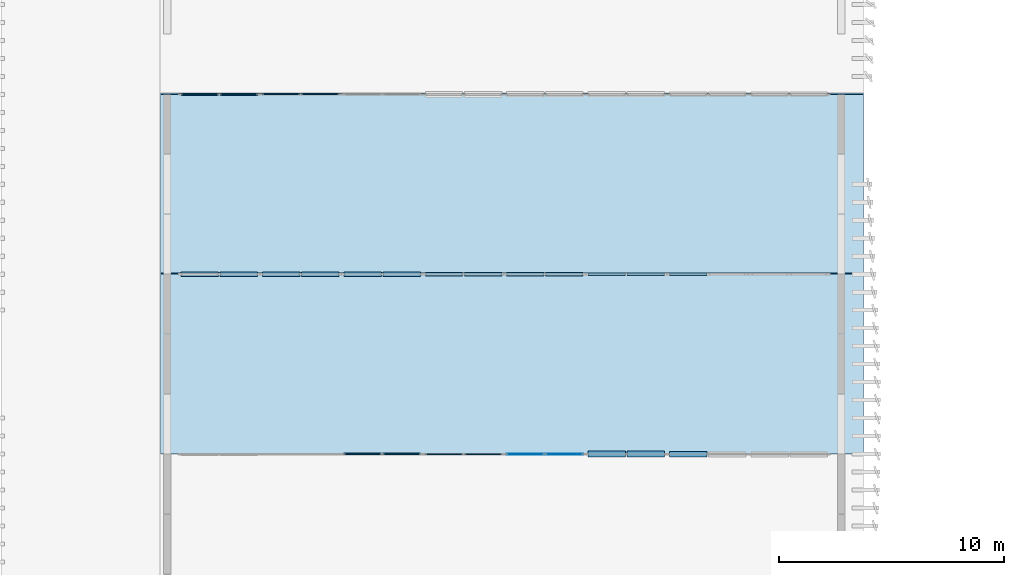
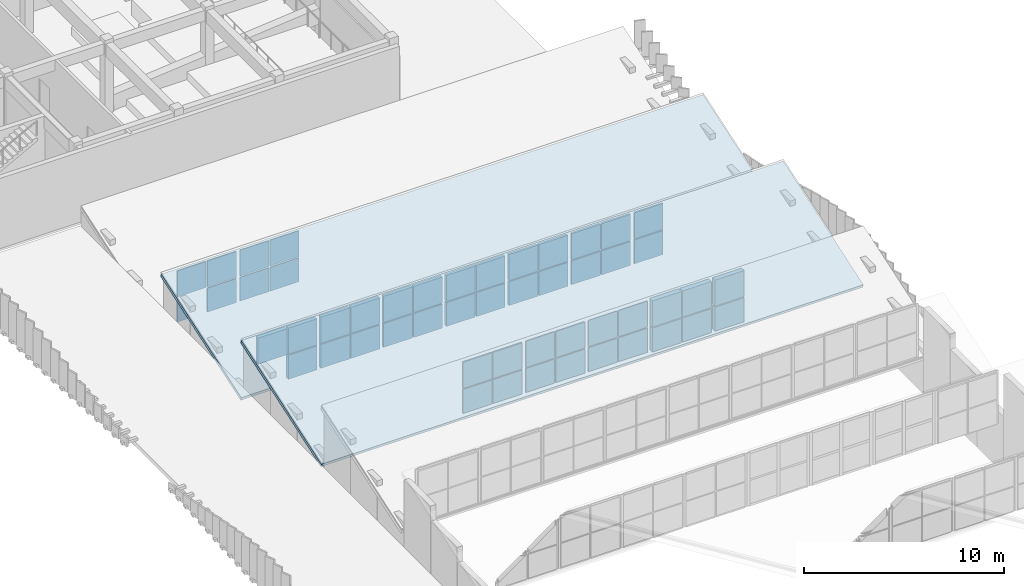
# One storey, part 20 of 45: 51 plates, 2 slabs, 14 elements without a shape of their own.
"""IFC4 building model written with IfcOpenShell, lengths in metres."""

from ifc_helpers import new_model, si_unit, direction, frame, origin, origin_2d, place, context, subcontext, project, spatial, polyline, rectangle, outline, extrude, material, layer, layer_set, type_object, element, aggregate, save


model = new_model("IFC4")

# Units and contexts
model_context = context("Model", 3, precision=1e-05, world=origin(), true_north=direction((0.0, 1.0)))
body_context = subcontext(model_context, "Body", "Model", "MODEL_VIEW")
ifc_project = project(units=[si_unit("LENGTHUNIT", "METRE"), si_unit("AREAUNIT", "SQUARE_METRE"), si_unit("VOLUMEUNIT", "CUBIC_METRE"), si_unit("PLANEANGLEUNIT", "RADIAN"), si_unit("MASSUNIT", "GRAM", prefix="KILO")], contexts=[model_context])

# Site, building, storey
site_placement = place(None, origin())
site = spatial("IfcSite", under=ifc_project, at=site_placement, CompositionType="ELEMENT")
building_placement = place(site_placement, origin())
building = spatial("IfcBuilding", under=site, at=building_placement, Name="Cinchona Park Media Centre", CompositionType="ELEMENT")
storey_placement = place(building_placement, frame((0.0, 0.0, 20.39990234375)))
storey = spatial("IfcBuildingStorey", under=building, at=storey_placement, Name="L04", CompositionType="ELEMENT", Elevation=20.39990234375)

# Curtain wall, plates
ifc_material_1 = material(Name="Aluminium Curtain Wall Framing", Category="aluminium")
ifc_layer_1 = layer(ifc_material_1, 0.31494140625)
ifc_layer_set_1 = layer_set([ifc_layer_1], Name="Aluminium Curtain Wall Framing")
curtain_wall_type = type_object("IfcCurtainWallType", Name="CW-CW10", PredefinedType="USERDEFINED", material=ifc_layer_set_1)
curtain_wall_1_placement = place(storey_placement, origin())
curtain_wall_1 = element("IfcCurtainWall", 1, at=curtain_wall_1_placement, inside=storey, type_object=curtain_wall_type, Name="North-Light Sawtooth Clerestory V1 Bay 4.4 CW10 L04", ObjectType="UNITISED CURTAIN WALL", PredefinedType="USERDEFINED")
ifc_material_2 = material(Name="Laminated Solar-Control Double Glazing", Category="glass")
ifc_layer_2 = layer(ifc_material_2, 0.030029296875)
ifc_layer_set_2 = layer_set([ifc_layer_2], Name="Laminated Solar-Control Double Glazing")
plate_type_1 = type_object("IfcPlateType", Name="CWPANEL-PNL02", PredefinedType="CURTAIN_PANEL", material=ifc_layer_set_2)
plate_1_placement = place(storey_placement, frame((33.0576171875, 39.60009765625, 0.25), z_axis=(0.0, 0.0, 1.0), x_axis=(-1.0, 0.0, 0.0)))
plate_1 = element("IfcPlate", 2, at=plate_1_placement, type_object=plate_type_1, Name="CW10 panel 1.1", PredefinedType="CURTAIN_PANEL", context=body_context, shape_type="SweptSolid", body=[
    extrude(rectangle(XDim=1.6650390625, YDim=0.030029296875, at=origin_2d()), origin(), (0.0, 0.0, 1.0), 1.4580078125),
])
plate_2_placement = place(storey_placement, frame((33.0576171875, 39.60009765625, 1.77783203125), z_axis=(0.0, 0.0, 1.0), x_axis=(-1.0, 0.0, 0.0)))
plate_2 = element("IfcPlate", 3, at=plate_2_placement, type_object=plate_type_1, Name="CW10 panel 1.2", PredefinedType="CURTAIN_PANEL", context=body_context, shape_type="SweptSolid", body=[
    extrude(rectangle(XDim=1.6650390625, YDim=0.030029296875, at=origin_2d()), origin(), (0.0, 0.0, 1.0), 1.589111328125),
])
plate_3_placement = place(storey_placement, frame((31.322509765625, 39.60009765625, 0.25), z_axis=(0.0, 0.0, 1.0), x_axis=(-1.0, 0.0, 0.0)))
plate_3 = element("IfcPlate", 4, at=plate_3_placement, type_object=plate_type_1, Name="CW10 panel 2.1", PredefinedType="CURTAIN_PANEL", context=body_context, shape_type="SweptSolid", body=[
    extrude(rectangle(XDim=1.6650390625, YDim=0.030029296875, at=origin_2d()), origin(), (0.0, 0.0, 1.0), 1.4580078125),
])
plate_4_placement = place(storey_placement, frame((31.322509765625, 39.60009765625, 1.77783203125), z_axis=(0.0, 0.0, 1.0), x_axis=(-1.0, 0.0, 0.0)))
plate_4 = element("IfcPlate", 5, at=plate_4_placement, type_object=plate_type_1, Name="CW10 panel 2.2", PredefinedType="CURTAIN_PANEL", context=body_context, shape_type="SweptSolid", body=[
    extrude(rectangle(XDim=1.6650390625, YDim=0.030029296875, at=origin_2d()), origin(), (0.0, 0.0, 1.0), 1.589111328125),
])
aggregate(curtain_wall_1, [plate_1, plate_2, plate_3, plate_4])

curtain_wall_2_placement = place(storey_placement, origin())
curtain_wall_2 = element("IfcCurtainWall", 6, at=curtain_wall_2_placement, inside=storey, type_object=curtain_wall_type, Name="North-Light Sawtooth Clerestory V1 Bay 4.5 CW10 L04", ObjectType="UNITISED CURTAIN WALL", PredefinedType="USERDEFINED")
ifc_material_3 = material(Name="Laminated Solar-Control Double Glazing", Category="glass")
ifc_layer_3 = layer(ifc_material_3, 0.050048828125)
ifc_layer_set_3 = layer_set([ifc_layer_3], Name="Laminated Solar-Control Double Glazing")
plate_type_2 = type_object("IfcPlateType", Name="CWPANEL-PNL04", PredefinedType="CURTAIN_PANEL", material=ifc_layer_set_3)
plate_5_placement = place(storey_placement, frame((29.4375, 39.60009765625, 0.25), z_axis=(0.0, 0.0, 1.0), x_axis=(-1.0, 0.0, 0.0)))
plate_5 = element("IfcPlate", 7, at=plate_5_placement, type_object=plate_type_2, Name="CW10 panel 1.1", PredefinedType="CURTAIN_PANEL", context=body_context, shape_type="SweptSolid", body=[
    extrude(rectangle(XDim=1.6650390625, YDim=0.050048828125, at=origin_2d()), origin(), (0.0, 0.0, 1.0), 1.4580078125),
])
plate_6_placement = place(storey_placement, frame((29.4375, 39.60009765625, 1.77783203125), z_axis=(0.0, 0.0, 1.0), x_axis=(-1.0, 0.0, 0.0)))
plate_6 = element("IfcPlate", 8, at=plate_6_placement, type_object=plate_type_2, Name="CW10 panel 1.2", PredefinedType="CURTAIN_PANEL", context=body_context, shape_type="SweptSolid", body=[
    extrude(rectangle(XDim=1.6650390625, YDim=0.050048828125, at=origin_2d()), origin(), (0.0, 0.0, 1.0), 1.589111328125),
])
plate_7_placement = place(storey_placement, frame((27.702392578125, 39.60009765625, 0.25), z_axis=(0.0, 0.0, 1.0), x_axis=(-1.0, 0.0, 0.0)))
plate_7 = element("IfcPlate", 9, at=plate_7_placement, type_object=plate_type_2, Name="CW10 panel 2.1", PredefinedType="CURTAIN_PANEL", context=body_context, shape_type="SweptSolid", body=[
    extrude(rectangle(XDim=1.6650390625, YDim=0.050048828125, at=origin_2d()), origin(), (0.0, 0.0, 1.0), 1.4580078125),
])
plate_8_placement = place(storey_placement, frame((27.702392578125, 39.60009765625, 1.77783203125), z_axis=(0.0, 0.0, 1.0), x_axis=(-1.0, 0.0, 0.0)))
plate_8 = element("IfcPlate", 10, at=plate_8_placement, type_object=plate_type_2, Name="CW10 panel 2.2", PredefinedType="CURTAIN_PANEL", context=body_context, shape_type="SweptSolid", body=[
    extrude(rectangle(XDim=1.6650390625, YDim=0.050048828125, at=origin_2d()), origin(), (0.0, 0.0, 1.0), 1.589111328125),
])
aggregate(curtain_wall_2, [plate_5, plate_6, plate_7, plate_8])

curtain_wall_3_placement = place(storey_placement, origin())
curtain_wall_3 = element("IfcCurtainWall", 11, at=curtain_wall_3_placement, inside=storey, type_object=curtain_wall_type, Name="North-Light Sawtooth Clerestory V1 Bay 6.7 CW10 L04", ObjectType="UNITISED CURTAIN WALL", PredefinedType="USERDEFINED")
plate_9_placement = place(storey_placement, frame((22.197509765625, 55.60009765625, -1.349853515625), z_axis=(0.0, 0.0, 1.0), x_axis=(-1.0, 0.0, 0.0)))
plate_9 = element("IfcPlate", 12, at=plate_9_placement, type_object=plate_type_2, Name="CW10 panel 1.1", PredefinedType="CURTAIN_PANEL", context=body_context, shape_type="SweptSolid", body=[
    extrude(rectangle(XDim=1.6650390625, YDim=0.050048828125, at=origin_2d()), origin(), (0.0, 0.0, 1.0), 1.4580078125),
])
plate_10_placement = place(storey_placement, frame((22.197509765625, 55.60009765625, 0.17822265625), z_axis=(0.0, 0.0, 1.0), x_axis=(-1.0, 0.0, 0.0)))
plate_10 = element("IfcPlate", 13, at=plate_10_placement, type_object=plate_type_2, Name="CW10 panel 1.2", PredefinedType="CURTAIN_PANEL", context=body_context, shape_type="SweptSolid", body=[
    extrude(rectangle(XDim=1.6650390625, YDim=0.050048828125, at=origin_2d()), origin(), (0.0, 0.0, 1.0), 1.589111328125),
])
plate_11_placement = place(storey_placement, frame((20.46240234375, 55.60009765625, -1.349853515625), z_axis=(0.0, 0.0, 1.0), x_axis=(-1.0, 0.0, 0.0)))
plate_11 = element("IfcPlate", 14, at=plate_11_placement, type_object=plate_type_2, Name="CW10 panel 2.1", PredefinedType="CURTAIN_PANEL", context=body_context, shape_type="SweptSolid", body=[
    extrude(rectangle(XDim=1.6650390625, YDim=0.050048828125, at=origin_2d()), origin(), (0.0, 0.0, 1.0), 1.4580078125),
])
plate_12_placement = place(storey_placement, frame((20.46240234375, 55.60009765625, 0.17822265625), z_axis=(0.0, 0.0, 1.0), x_axis=(-1.0, 0.0, 0.0)))
plate_12 = element("IfcPlate", 15, at=plate_12_placement, type_object=plate_type_2, Name="CW10 panel 2.2", PredefinedType="CURTAIN_PANEL", context=body_context, shape_type="SweptSolid", body=[
    extrude(rectangle(XDim=1.6650390625, YDim=0.050048828125, at=origin_2d()), origin(), (0.0, 0.0, 1.0), 1.589111328125),
])
aggregate(curtain_wall_3, [plate_9, plate_10, plate_11, plate_12])

curtain_wall_4_placement = place(storey_placement, origin())
curtain_wall_4 = element("IfcCurtainWall", 16, at=curtain_wall_4_placement, inside=storey, type_object=curtain_wall_type, Name="North-Light Sawtooth Clerestory V1 Bay 4.6 CW10 L04", ObjectType="UNITISED CURTAIN WALL", PredefinedType="USERDEFINED")
ifc_material_4 = material(Name="Laminated Solar-Control Double Glazing", Category="glass")
ifc_layer_4 = layer(ifc_material_4, 0.070068359375)
ifc_layer_set_4 = layer_set([ifc_layer_4], Name="Laminated Solar-Control Double Glazing")
plate_type_3 = type_object("IfcPlateType", Name="CWPANEL-PNL06", PredefinedType="CURTAIN_PANEL", material=ifc_layer_set_4)
plate_13_placement = place(storey_placement, frame((25.8173828125, 39.60009765625, 0.25), z_axis=(0.0, 0.0, 1.0), x_axis=(-1.0, 0.0, 0.0)))
plate_13 = element("IfcPlate", 17, at=plate_13_placement, type_object=plate_type_3, Name="CW10 panel 1.1", PredefinedType="CURTAIN_PANEL", context=body_context, shape_type="SweptSolid", body=[
    extrude(rectangle(XDim=1.6650390625, YDim=0.070068359375, at=origin_2d()), origin(), (0.0, 0.0, 1.0), 1.4580078125),
])
plate_14_placement = place(storey_placement, frame((25.8173828125, 39.60009765625, 1.77783203125), z_axis=(0.0, 0.0, 1.0), x_axis=(-1.0, 0.0, 0.0)))
plate_14 = element("IfcPlate", 18, at=plate_14_placement, type_object=plate_type_3, Name="CW10 panel 1.2", PredefinedType="CURTAIN_PANEL", context=body_context, shape_type="SweptSolid", body=[
    extrude(rectangle(XDim=1.6650390625, YDim=0.070068359375, at=origin_2d()), origin(), (0.0, 0.0, 1.0), 1.589111328125),
])
plate_15_placement = place(storey_placement, frame((24.08251953125, 39.60009765625, 0.25), z_axis=(0.0, 0.0, 1.0), x_axis=(-1.0, 0.0, 0.0)))
plate_15 = element("IfcPlate", 19, at=plate_15_placement, type_object=plate_type_3, Name="CW10 panel 2.1", PredefinedType="CURTAIN_PANEL", context=body_context, shape_type="SweptSolid", body=[
    extrude(rectangle(XDim=1.6650390625, YDim=0.070068359375, at=origin_2d()), origin(), (0.0, 0.0, 1.0), 1.4580078125),
])
plate_16_placement = place(storey_placement, frame((24.08251953125, 39.60009765625, 1.77783203125), z_axis=(0.0, 0.0, 1.0), x_axis=(-1.0, 0.0, 0.0)))
plate_16 = element("IfcPlate", 20, at=plate_16_placement, type_object=plate_type_3, Name="CW10 panel 2.2", PredefinedType="CURTAIN_PANEL", context=body_context, shape_type="SweptSolid", body=[
    extrude(rectangle(XDim=1.6650390625, YDim=0.070068359375, at=origin_2d()), origin(), (0.0, 0.0, 1.0), 1.589111328125),
])
aggregate(curtain_wall_4, [plate_13, plate_14, plate_15, plate_16])

curtain_wall_5_placement = place(storey_placement, origin())
curtain_wall_5 = element("IfcCurtainWall", 21, at=curtain_wall_5_placement, inside=storey, type_object=curtain_wall_type, Name="North-Light Sawtooth Clerestory V1 Bay 6.8 CW10 L04", ObjectType="UNITISED CURTAIN WALL", PredefinedType="USERDEFINED")
plate_17_placement = place(storey_placement, frame((18.577392578125, 55.60009765625, -1.349853515625), z_axis=(0.0, 0.0, 1.0), x_axis=(-1.0, 0.0, 0.0)))
plate_17 = element("IfcPlate", 22, at=plate_17_placement, type_object=plate_type_3, Name="CW10 panel 1.1", PredefinedType="CURTAIN_PANEL", context=body_context, shape_type="SweptSolid", body=[
    extrude(rectangle(XDim=1.6650390625, YDim=0.070068359375, at=origin_2d()), origin(), (0.0, 0.0, 1.0), 1.4580078125),
])
plate_18_placement = place(storey_placement, frame((18.577392578125, 55.60009765625, 0.17822265625), z_axis=(0.0, 0.0, 1.0), x_axis=(-1.0, 0.0, 0.0)))
plate_18 = element("IfcPlate", 23, at=plate_18_placement, type_object=plate_type_3, Name="CW10 panel 1.2", PredefinedType="CURTAIN_PANEL", context=body_context, shape_type="SweptSolid", body=[
    extrude(rectangle(XDim=1.6650390625, YDim=0.070068359375, at=origin_2d()), origin(), (0.0, 0.0, 1.0), 1.589111328125),
])
plate_19_placement = place(storey_placement, frame((16.842529296875, 55.60009765625, -1.349853515625), z_axis=(0.0, 0.0, 1.0), x_axis=(-1.0, 0.0, 0.0)))
plate_19 = element("IfcPlate", 24, at=plate_19_placement, type_object=plate_type_3, Name="CW10 panel 2.1", PredefinedType="CURTAIN_PANEL", context=body_context, shape_type="SweptSolid", body=[
    extrude(rectangle(XDim=1.6650390625, YDim=0.070068359375, at=origin_2d()), origin(), (0.0, 0.0, 1.0), 1.4580078125),
])
plate_20_placement = place(storey_placement, frame((16.842529296875, 55.60009765625, 0.17822265625), z_axis=(0.0, 0.0, 1.0), x_axis=(-1.0, 0.0, 0.0)))
plate_20 = element("IfcPlate", 25, at=plate_20_placement, type_object=plate_type_3, Name="CW10 panel 2.2", PredefinedType="CURTAIN_PANEL", context=body_context, shape_type="SweptSolid", body=[
    extrude(rectangle(XDim=1.6650390625, YDim=0.070068359375, at=origin_2d()), origin(), (0.0, 0.0, 1.0), 1.589111328125),
])
aggregate(curtain_wall_5, [plate_17, plate_18, plate_19, plate_20])

curtain_wall_6_placement = place(storey_placement, origin())
curtain_wall_6 = element("IfcCurtainWall", 26, at=curtain_wall_6_placement, inside=storey, type_object=curtain_wall_type, Name="North-Light Sawtooth Clerestory V1 Bay 5.2 CW10 L04", ObjectType="UNITISED CURTAIN WALL", PredefinedType="USERDEFINED")
ifc_material_5 = material(Name="Insulated Acoustic Aluminium-Glass Spandrel Cassette", Category="aluminium")
ifc_layer_5 = layer(ifc_material_5, 0.10009765625)
ifc_layer_set_5 = layer_set([ifc_layer_5], Name="Insulated Acoustic Aluminium-Glass Spandrel Cassette")
plate_type_4 = type_object("IfcPlateType", Name="CWPANEL-PNL09", PredefinedType="CURTAIN_PANEL", material=ifc_layer_set_5)
plate_21_placement = place(storey_placement, frame((38.5625, 47.60009765625, -0.5498046875), z_axis=(0.0, 0.0, 1.0), x_axis=(-1.0, 0.0, 0.0)))
plate_21 = element("IfcPlate", 27, at=plate_21_placement, type_object=plate_type_4, Name="CW10 panel 2.1", PredefinedType="CURTAIN_PANEL", context=body_context, shape_type="SweptSolid", body=[
    extrude(rectangle(XDim=1.6650390625, YDim=0.10009765625, at=origin_2d()), origin(), (0.0, 0.0, 1.0), 1.4580078125),
])
plate_22_placement = place(storey_placement, frame((38.5625, 47.60009765625, 0.97802734375), z_axis=(0.0, 0.0, 1.0), x_axis=(-1.0, 0.0, 0.0)))
plate_22 = element("IfcPlate", 28, at=plate_22_placement, type_object=plate_type_4, Name="CW10 panel 2.2", PredefinedType="CURTAIN_PANEL", context=body_context, shape_type="SweptSolid", body=[
    extrude(rectangle(XDim=1.6650390625, YDim=0.10009765625, at=origin_2d()), origin(), (0.0, 0.0, 1.0), 1.589111328125),
])
aggregate(curtain_wall_6, [plate_21, plate_22])

curtain_wall_7_placement = place(storey_placement, origin())
curtain_wall_7 = element("IfcCurtainWall", 29, at=curtain_wall_7_placement, inside=storey, type_object=curtain_wall_type, Name="North-Light Sawtooth Clerestory V1 Bay 5.3 CW10 L04", ObjectType="UNITISED CURTAIN WALL", PredefinedType="USERDEFINED")
ifc_material_6 = material(Name="Insulated Acoustic Aluminium-Glass Spandrel Cassette", Category="aluminium")
ifc_layer_6 = layer(ifc_material_6, 0.1201171875)
ifc_layer_set_6 = layer_set([ifc_layer_6], Name="Insulated Acoustic Aluminium-Glass Spandrel Cassette")
plate_type_5 = type_object("IfcPlateType", Name="CWPANEL-PNL11", PredefinedType="CURTAIN_PANEL", material=ifc_layer_set_6)
plate_23_placement = place(storey_placement, frame((36.677490234375, 47.60009765625, -0.5498046875), z_axis=(0.0, 0.0, 1.0), x_axis=(-1.0, 0.0, 0.0)))
plate_23 = element("IfcPlate", 30, at=plate_23_placement, type_object=plate_type_5, Name="CW10 panel 1.1", PredefinedType="CURTAIN_PANEL", context=body_context, shape_type="SweptSolid", body=[
    extrude(rectangle(XDim=1.6650390625, YDim=0.1201171875, at=origin_2d()), origin(), (0.0, 0.0, 1.0), 1.4580078125),
])
plate_24_placement = place(storey_placement, frame((36.677490234375, 47.60009765625, 0.97802734375), z_axis=(0.0, 0.0, 1.0), x_axis=(-1.0, 0.0, 0.0)))
plate_24 = element("IfcPlate", 31, at=plate_24_placement, type_object=plate_type_5, Name="CW10 panel 1.2", PredefinedType="CURTAIN_PANEL", context=body_context, shape_type="SweptSolid", body=[
    extrude(rectangle(XDim=1.6650390625, YDim=0.1201171875, at=origin_2d()), origin(), (0.0, 0.0, 1.0), 1.589111328125),
])
plate_25_placement = place(storey_placement, frame((34.9423828125, 47.60009765625, -0.5498046875), z_axis=(0.0, 0.0, 1.0), x_axis=(-1.0, 0.0, 0.0)))
plate_25 = element("IfcPlate", 32, at=plate_25_placement, type_object=plate_type_5, Name="CW10 panel 2.1", PredefinedType="CURTAIN_PANEL", context=body_context, shape_type="SweptSolid", body=[
    extrude(rectangle(XDim=1.6650390625, YDim=0.1201171875, at=origin_2d()), origin(), (0.0, 0.0, 1.0), 1.4580078125),
])
plate_26_placement = place(storey_placement, frame((34.9423828125, 47.60009765625, 0.97802734375), z_axis=(0.0, 0.0, 1.0), x_axis=(-1.0, 0.0, 0.0)))
plate_26 = element("IfcPlate", 33, at=plate_26_placement, type_object=plate_type_5, Name="CW10 panel 2.2", PredefinedType="CURTAIN_PANEL", context=body_context, shape_type="SweptSolid", body=[
    extrude(rectangle(XDim=1.6650390625, YDim=0.1201171875, at=origin_2d()), origin(), (0.0, 0.0, 1.0), 1.589111328125),
])
aggregate(curtain_wall_7, [plate_23, plate_24, plate_25, plate_26])

curtain_wall_8_placement = place(storey_placement, origin())
curtain_wall_8 = element("IfcCurtainWall", 34, at=curtain_wall_8_placement, inside=storey, type_object=curtain_wall_type, Name="North-Light Sawtooth Clerestory V1 Bay 5.4 CW10 L04", ObjectType="UNITISED CURTAIN WALL", PredefinedType="USERDEFINED")
ifc_material_7 = material(Name="Insulated Acoustic Aluminium-Glass Spandrel Cassette", Category="aluminium")
ifc_layer_7 = layer(ifc_material_7, 0.139892578125)
ifc_layer_set_7 = layer_set([ifc_layer_7], Name="Insulated Acoustic Aluminium-Glass Spandrel Cassette")
plate_type_6 = type_object("IfcPlateType", Name="CWPANEL-PNL13", PredefinedType="CURTAIN_PANEL", material=ifc_layer_set_7)
plate_27_placement = place(storey_placement, frame((33.0576171875, 47.60009765625, -0.5498046875), z_axis=(0.0, 0.0, 1.0), x_axis=(-1.0, 0.0, 0.0)))
plate_27 = element("IfcPlate", 35, at=plate_27_placement, type_object=plate_type_6, Name="CW10 panel 1.1", PredefinedType="CURTAIN_PANEL", context=body_context, shape_type="SweptSolid", body=[
    extrude(rectangle(XDim=1.6650390625, YDim=0.139892578125, at=origin_2d()), origin(), (0.0, 0.0, 1.0), 1.4580078125),
])
plate_28_placement = place(storey_placement, frame((33.0576171875, 47.60009765625, 0.97802734375), z_axis=(0.0, 0.0, 1.0), x_axis=(-1.0, 0.0, 0.0)))
plate_28 = element("IfcPlate", 36, at=plate_28_placement, type_object=plate_type_6, Name="CW10 panel 1.2", PredefinedType="CURTAIN_PANEL", context=body_context, shape_type="SweptSolid", body=[
    extrude(rectangle(XDim=1.6650390625, YDim=0.139892578125, at=origin_2d()), origin(), (0.0, 0.0, 1.0), 1.589111328125),
])
plate_29_placement = place(storey_placement, frame((31.322509765625, 47.60009765625, -0.5498046875), z_axis=(0.0, 0.0, 1.0), x_axis=(-1.0, 0.0, 0.0)))
plate_29 = element("IfcPlate", 37, at=plate_29_placement, type_object=plate_type_6, Name="CW10 panel 2.1", PredefinedType="CURTAIN_PANEL", context=body_context, shape_type="SweptSolid", body=[
    extrude(rectangle(XDim=1.6650390625, YDim=0.139892578125, at=origin_2d()), origin(), (0.0, 0.0, 1.0), 1.4580078125),
])
plate_30_placement = place(storey_placement, frame((31.322509765625, 47.60009765625, 0.97802734375), z_axis=(0.0, 0.0, 1.0), x_axis=(-1.0, 0.0, 0.0)))
plate_30 = element("IfcPlate", 38, at=plate_30_placement, type_object=plate_type_6, Name="CW10 panel 2.2", PredefinedType="CURTAIN_PANEL", context=body_context, shape_type="SweptSolid", body=[
    extrude(rectangle(XDim=1.6650390625, YDim=0.139892578125, at=origin_2d()), origin(), (0.0, 0.0, 1.0), 1.589111328125),
])
aggregate(curtain_wall_8, [plate_27, plate_28, plate_29, plate_30])

curtain_wall_9_placement = place(storey_placement, origin())
curtain_wall_9 = element("IfcCurtainWall", 39, at=curtain_wall_9_placement, inside=storey, type_object=curtain_wall_type, Name="North-Light Sawtooth Clerestory V1 Bay 5.5 CW10 L04", ObjectType="UNITISED CURTAIN WALL", PredefinedType="USERDEFINED")
ifc_material_8 = material(Name="Insulated Acoustic Aluminium-Glass Spandrel Cassette", Category="aluminium")
ifc_layer_8 = layer(ifc_material_8, 0.159912109375)
ifc_layer_set_8 = layer_set([ifc_layer_8], Name="Insulated Acoustic Aluminium-Glass Spandrel Cassette")
plate_type_7 = type_object("IfcPlateType", Name="CWPANEL-PNL15", PredefinedType="CURTAIN_PANEL", material=ifc_layer_set_8)
plate_31_placement = place(storey_placement, frame((29.4375, 47.60009765625, -0.5498046875), z_axis=(0.0, 0.0, 1.0), x_axis=(-1.0, 0.0, 0.0)))
plate_31 = element("IfcPlate", 40, at=plate_31_placement, type_object=plate_type_7, Name="CW10 panel 1.1", PredefinedType="CURTAIN_PANEL", context=body_context, shape_type="SweptSolid", body=[
    extrude(rectangle(XDim=1.6650390625, YDim=0.159912109375, at=origin_2d()), origin(), (0.0, 0.0, 1.0), 1.4580078125),
])
plate_32_placement = place(storey_placement, frame((29.4375, 47.60009765625, 0.97802734375), z_axis=(0.0, 0.0, 1.0), x_axis=(-1.0, 0.0, 0.0)))
plate_32 = element("IfcPlate", 41, at=plate_32_placement, type_object=plate_type_7, Name="CW10 panel 1.2", PredefinedType="CURTAIN_PANEL", context=body_context, shape_type="SweptSolid", body=[
    extrude(rectangle(XDim=1.6650390625, YDim=0.159912109375, at=origin_2d()), origin(), (0.0, 0.0, 1.0), 1.589111328125),
])
plate_33_placement = place(storey_placement, frame((27.702392578125, 47.60009765625, -0.5498046875), z_axis=(0.0, 0.0, 1.0), x_axis=(-1.0, 0.0, 0.0)))
plate_33 = element("IfcPlate", 42, at=plate_33_placement, type_object=plate_type_7, Name="CW10 panel 2.1", PredefinedType="CURTAIN_PANEL", context=body_context, shape_type="SweptSolid", body=[
    extrude(rectangle(XDim=1.6650390625, YDim=0.159912109375, at=origin_2d()), origin(), (0.0, 0.0, 1.0), 1.4580078125),
])
plate_34_placement = place(storey_placement, frame((27.702392578125, 47.60009765625, 0.97802734375), z_axis=(0.0, 0.0, 1.0), x_axis=(-1.0, 0.0, 0.0)))
plate_34 = element("IfcPlate", 43, at=plate_34_placement, type_object=plate_type_7, Name="CW10 panel 2.2", PredefinedType="CURTAIN_PANEL", context=body_context, shape_type="SweptSolid", body=[
    extrude(rectangle(XDim=1.6650390625, YDim=0.159912109375, at=origin_2d()), origin(), (0.0, 0.0, 1.0), 1.589111328125),
])
aggregate(curtain_wall_9, [plate_31, plate_32, plate_33, plate_34])

curtain_wall_10_placement = place(storey_placement, origin())
curtain_wall_10 = element("IfcCurtainWall", 44, at=curtain_wall_10_placement, inside=storey, type_object=curtain_wall_type, Name="North-Light Sawtooth Clerestory V1 Bay 5.6 CW10 L04", ObjectType="UNITISED CURTAIN WALL", PredefinedType="USERDEFINED")
ifc_material_9 = material(Name="Insulated Acoustic Aluminium-Glass Spandrel Cassette", Category="aluminium")
ifc_layer_9 = layer(ifc_material_9, 0.179931640625)
ifc_layer_set_9 = layer_set([ifc_layer_9], Name="Insulated Acoustic Aluminium-Glass Spandrel Cassette")
plate_type_8 = type_object("IfcPlateType", Name="CWPANEL-PNL17", PredefinedType="CURTAIN_PANEL", material=ifc_layer_set_9)
plate_35_placement = place(storey_placement, frame((25.8173828125, 47.60009765625, -0.5498046875), z_axis=(0.0, 0.0, 1.0), x_axis=(-1.0, 0.0, 0.0)))
plate_35 = element("IfcPlate", 45, at=plate_35_placement, type_object=plate_type_8, Name="CW10 panel 1.1", PredefinedType="CURTAIN_PANEL", context=body_context, shape_type="SweptSolid", body=[
    extrude(rectangle(XDim=1.6650390625, YDim=0.179931640625, at=origin_2d()), origin(), (0.0, 0.0, 1.0), 1.4580078125),
])
plate_36_placement = place(storey_placement, frame((25.8173828125, 47.60009765625, 0.97802734375), z_axis=(0.0, 0.0, 1.0), x_axis=(-1.0, 0.0, 0.0)))
plate_36 = element("IfcPlate", 46, at=plate_36_placement, type_object=plate_type_8, Name="CW10 panel 1.2", PredefinedType="CURTAIN_PANEL", context=body_context, shape_type="SweptSolid", body=[
    extrude(rectangle(XDim=1.6650390625, YDim=0.179931640625, at=origin_2d()), origin(), (0.0, 0.0, 1.0), 1.589111328125),
])
plate_37_placement = place(storey_placement, frame((24.08251953125, 47.60009765625, -0.5498046875), z_axis=(0.0, 0.0, 1.0), x_axis=(-1.0, 0.0, 0.0)))
plate_37 = element("IfcPlate", 47, at=plate_37_placement, type_object=plate_type_8, Name="CW10 panel 2.1", PredefinedType="CURTAIN_PANEL", context=body_context, shape_type="SweptSolid", body=[
    extrude(rectangle(XDim=1.6650390625, YDim=0.179931640625, at=origin_2d()), origin(), (0.0, 0.0, 1.0), 1.4580078125),
])
plate_38_placement = place(storey_placement, frame((24.08251953125, 47.60009765625, 0.97802734375), z_axis=(0.0, 0.0, 1.0), x_axis=(-1.0, 0.0, 0.0)))
plate_38 = element("IfcPlate", 48, at=plate_38_placement, type_object=plate_type_8, Name="CW10 panel 2.2", PredefinedType="CURTAIN_PANEL", context=body_context, shape_type="SweptSolid", body=[
    extrude(rectangle(XDim=1.6650390625, YDim=0.179931640625, at=origin_2d()), origin(), (0.0, 0.0, 1.0), 1.589111328125),
])
aggregate(curtain_wall_10, [plate_35, plate_36, plate_37, plate_38])

curtain_wall_11_placement = place(storey_placement, origin())
curtain_wall_11 = element("IfcCurtainWall", 49, at=curtain_wall_11_placement, inside=storey, type_object=curtain_wall_type, Name="North-Light Sawtooth Clerestory V1 Bay 5.7 CW10 L04", ObjectType="UNITISED CURTAIN WALL", PredefinedType="USERDEFINED")
ifc_material_10 = material(Name="Insulated Acoustic Aluminium-Glass Spandrel Cassette", Category="aluminium")
ifc_layer_10 = layer(ifc_material_10, 0.199951171875)
ifc_layer_set_10 = layer_set([ifc_layer_10], Name="Insulated Acoustic Aluminium-Glass Spandrel Cassette")
plate_type_9 = type_object("IfcPlateType", Name="CWPANEL-PNL19", PredefinedType="CURTAIN_PANEL", material=ifc_layer_set_10)
plate_39_placement = place(storey_placement, frame((22.197509765625, 47.60009765625, -0.5498046875), z_axis=(0.0, 0.0, 1.0), x_axis=(-1.0, 0.0, 0.0)))
plate_39 = element("IfcPlate", 50, at=plate_39_placement, type_object=plate_type_9, Name="CW10 panel 1.1", PredefinedType="CURTAIN_PANEL", context=body_context, shape_type="SweptSolid", body=[
    extrude(rectangle(XDim=1.6650390625, YDim=0.199951171875, at=origin_2d()), origin(), (0.0, 0.0, 1.0), 1.4580078125),
])
plate_40_placement = place(storey_placement, frame((22.197509765625, 47.60009765625, 0.97802734375), z_axis=(0.0, 0.0, 1.0), x_axis=(-1.0, 0.0, 0.0)))
plate_40 = element("IfcPlate", 51, at=plate_40_placement, type_object=plate_type_9, Name="CW10 panel 1.2", PredefinedType="CURTAIN_PANEL", context=body_context, shape_type="SweptSolid", body=[
    extrude(rectangle(XDim=1.6650390625, YDim=0.199951171875, at=origin_2d()), origin(), (0.0, 0.0, 1.0), 1.589111328125),
])
plate_41_placement = place(storey_placement, frame((20.46240234375, 47.60009765625, -0.5498046875), z_axis=(0.0, 0.0, 1.0), x_axis=(-1.0, 0.0, 0.0)))
plate_41 = element("IfcPlate", 52, at=plate_41_placement, type_object=plate_type_9, Name="CW10 panel 2.1", PredefinedType="CURTAIN_PANEL", context=body_context, shape_type="SweptSolid", body=[
    extrude(rectangle(XDim=1.6650390625, YDim=0.199951171875, at=origin_2d()), origin(), (0.0, 0.0, 1.0), 1.4580078125),
])
plate_42_placement = place(storey_placement, frame((20.46240234375, 47.60009765625, 0.97802734375), z_axis=(0.0, 0.0, 1.0), x_axis=(-1.0, 0.0, 0.0)))
plate_42 = element("IfcPlate", 53, at=plate_42_placement, type_object=plate_type_9, Name="CW10 panel 2.2", PredefinedType="CURTAIN_PANEL", context=body_context, shape_type="SweptSolid", body=[
    extrude(rectangle(XDim=1.6650390625, YDim=0.199951171875, at=origin_2d()), origin(), (0.0, 0.0, 1.0), 1.589111328125),
])
aggregate(curtain_wall_11, [plate_39, plate_40, plate_41, plate_42])

curtain_wall_12_placement = place(storey_placement, origin())
curtain_wall_12 = element("IfcCurtainWall", 54, at=curtain_wall_12_placement, inside=storey, type_object=curtain_wall_type, Name="North-Light Sawtooth Clerestory V1 Bay 5.8 CW10 L04", ObjectType="UNITISED CURTAIN WALL", PredefinedType="USERDEFINED")
ifc_material_11 = material(Name="Insulated Acoustic Aluminium-Glass Spandrel Cassette", Category="aluminium")
ifc_layer_11 = layer(ifc_material_11, 0.219970703125)
ifc_layer_set_11 = layer_set([ifc_layer_11], Name="Insulated Acoustic Aluminium-Glass Spandrel Cassette")
plate_type_10 = type_object("IfcPlateType", Name="CWPANEL-PNL21", PredefinedType="CURTAIN_PANEL", material=ifc_layer_set_11)
plate_43_placement = place(storey_placement, frame((18.577392578125, 47.60009765625, -0.5498046875), z_axis=(0.0, 0.0, 1.0), x_axis=(-1.0, 0.0, 0.0)))
plate_43 = element("IfcPlate", 55, at=plate_43_placement, type_object=plate_type_10, Name="CW10 panel 1.1", PredefinedType="CURTAIN_PANEL", context=body_context, shape_type="SweptSolid", body=[
    extrude(rectangle(XDim=1.6650390625, YDim=0.219970703125, at=origin_2d()), origin(), (0.0, 0.0, 1.0), 1.4580078125),
])
plate_44_placement = place(storey_placement, frame((18.577392578125, 47.60009765625, 0.97802734375), z_axis=(0.0, 0.0, 1.0), x_axis=(-1.0, 0.0, 0.0)))
plate_44 = element("IfcPlate", 56, at=plate_44_placement, type_object=plate_type_10, Name="CW10 panel 1.2", PredefinedType="CURTAIN_PANEL", context=body_context, shape_type="SweptSolid", body=[
    extrude(rectangle(XDim=1.6650390625, YDim=0.219970703125, at=origin_2d()), origin(), (0.0, 0.0, 1.0), 1.589111328125),
])
plate_45_placement = place(storey_placement, frame((16.842529296875, 47.60009765625, 0.97802734375), z_axis=(0.0, 0.0, 1.0), x_axis=(-1.0, 0.0, 0.0)))
plate_45 = element("IfcPlate", 57, at=plate_45_placement, type_object=plate_type_10, Name="CW10 panel 2.2", PredefinedType="CURTAIN_PANEL", context=body_context, shape_type="SweptSolid", body=[
    extrude(rectangle(XDim=1.6650390625, YDim=0.219970703125, at=origin_2d()), origin(), (0.0, 0.0, 1.0), 1.589111328125),
])
aggregate(curtain_wall_12, [plate_43, plate_44, plate_45])

curtain_wall_13_placement = place(storey_placement, origin())
curtain_wall_13 = element("IfcCurtainWall", 58, at=curtain_wall_13_placement, inside=storey, type_object=curtain_wall_type, Name="North-Light Sawtooth Clerestory V1 Bay 4.2 CW10 L04", ObjectType="UNITISED CURTAIN WALL", PredefinedType="USERDEFINED")
ifc_material_12 = material(Name="Insulated Acoustic Aluminium-Glass Spandrel Cassette", Category="aluminium")
ifc_layer_12 = layer(ifc_material_12, 0.25)
ifc_layer_set_12 = layer_set([ifc_layer_12], Name="Insulated Acoustic Aluminium-Glass Spandrel Cassette")
plate_type_11 = type_object("IfcPlateType", Name="CWPANEL-PNL24", PredefinedType="CURTAIN_PANEL", material=ifc_layer_set_12)
plate_46_placement = place(storey_placement, frame((38.5625, 39.60009765625, 0.25), z_axis=(0.0, 0.0, 1.0), x_axis=(-1.0, 0.0, 0.0)))
plate_46 = element("IfcPlate", 59, at=plate_46_placement, type_object=plate_type_11, Name="CW10 panel 2.1", PredefinedType="CURTAIN_PANEL", context=body_context, shape_type="SweptSolid", body=[
    extrude(rectangle(XDim=1.6650390625, YDim=0.25, at=origin_2d()), origin(), (0.0, 0.0, 1.0), 1.4580078125),
])
plate_47_placement = place(storey_placement, frame((38.5625, 39.60009765625, 1.77783203125), z_axis=(0.0, 0.0, 1.0), x_axis=(-1.0, 0.0, 0.0)))
plate_47 = element("IfcPlate", 60, at=plate_47_placement, type_object=plate_type_11, Name="CW10 panel 2.2", PredefinedType="CURTAIN_PANEL", context=body_context, shape_type="SweptSolid", body=[
    extrude(rectangle(XDim=1.6650390625, YDim=0.25, at=origin_2d()), origin(), (0.0, 0.0, 1.0), 1.589111328125),
])
aggregate(curtain_wall_13, [plate_46, plate_47])

curtain_wall_14_placement = place(storey_placement, origin())
curtain_wall_14 = element("IfcCurtainWall", 61, at=curtain_wall_14_placement, inside=storey, type_object=curtain_wall_type, Name="North-Light Sawtooth Clerestory V1 Bay 4.3 CW10 L04", ObjectType="UNITISED CURTAIN WALL", PredefinedType="USERDEFINED")
ifc_material_13 = material(Name="Insulated Acoustic Aluminium-Glass Spandrel Cassette", Category="aluminium")
ifc_layer_13 = layer(ifc_material_13, 0.27001953125)
ifc_layer_set_13 = layer_set([ifc_layer_13], Name="Insulated Acoustic Aluminium-Glass Spandrel Cassette")
plate_type_12 = type_object("IfcPlateType", Name="CWPANEL-PNL26", PredefinedType="CURTAIN_PANEL", material=ifc_layer_set_13)
plate_48_placement = place(storey_placement, frame((36.677490234375, 39.60009765625, 0.25), z_axis=(0.0, 0.0, 1.0), x_axis=(-1.0, 0.0, 0.0)))
plate_48 = element("IfcPlate", 62, at=plate_48_placement, type_object=plate_type_12, Name="CW10 panel 1.1", PredefinedType="CURTAIN_PANEL", context=body_context, shape_type="SweptSolid", body=[
    extrude(rectangle(XDim=1.6650390625, YDim=0.27001953125, at=origin_2d()), origin(), (0.0, 0.0, 1.0), 1.4580078125),
])
plate_49_placement = place(storey_placement, frame((36.677490234375, 39.60009765625, 1.77783203125), z_axis=(0.0, 0.0, 1.0), x_axis=(-1.0, 0.0, 0.0)))
plate_49 = element("IfcPlate", 63, at=plate_49_placement, type_object=plate_type_12, Name="CW10 panel 1.2", PredefinedType="CURTAIN_PANEL", context=body_context, shape_type="SweptSolid", body=[
    extrude(rectangle(XDim=1.6650390625, YDim=0.27001953125, at=origin_2d()), origin(), (0.0, 0.0, 1.0), 1.589111328125),
])
plate_50_placement = place(storey_placement, frame((34.9423828125, 39.60009765625, 0.25), z_axis=(0.0, 0.0, 1.0), x_axis=(-1.0, 0.0, 0.0)))
plate_50 = element("IfcPlate", 64, at=plate_50_placement, type_object=plate_type_12, Name="CW10 panel 2.1", PredefinedType="CURTAIN_PANEL", context=body_context, shape_type="SweptSolid", body=[
    extrude(rectangle(XDim=1.6650390625, YDim=0.27001953125, at=origin_2d()), origin(), (0.0, 0.0, 1.0), 1.4580078125),
])
plate_51_placement = place(storey_placement, frame((34.9423828125, 39.60009765625, 1.77783203125), z_axis=(0.0, 0.0, 1.0), x_axis=(-1.0, 0.0, 0.0)))
plate_51 = element("IfcPlate", 65, at=plate_51_placement, type_object=plate_type_12, Name="CW10 panel 2.2", PredefinedType="CURTAIN_PANEL", context=body_context, shape_type="SweptSolid", body=[
    extrude(rectangle(XDim=1.6650390625, YDim=0.27001953125, at=origin_2d()), origin(), (0.0, 0.0, 1.0), 1.589111328125),
])
aggregate(curtain_wall_14, [plate_48, plate_49, plate_50, plate_51])

# Slabs
ifc_material_14 = material(Name="Concrete C35/45", Category="concrete")
ifc_layer_14 = layer(ifc_material_14, 0.2451171875)
ifc_layer_set_14 = layer_set([ifc_layer_14], Name="Concrete C35/45")
slab_type = type_object("IfcSlabType", Name="SLAB-RS01-245", PredefinedType="ROOF", material=ifc_layer_set_14)
slab_1_placement = place(storey_placement, frame((15.10009765625, 39.60009765625, -0.012939453125), z_axis=(0.0, -0.319773452474, 0.947494031165), x_axis=(1.0, 0.0, 0.0)))
element("IfcSlab", 66, at=slab_1_placement, inside=storey, type_object=slab_type, Name="Sawtooth Sloped Roof Slab V1 Bay 5", PredefinedType="ROOF", context=body_context, shape_type="SweptSolid", body=[
    extrude(outline(polyline([(0.0, 0.0), (31.25, 0.0), (31.25, 8.443324957059819), (0.0, 8.443324957059819), (0.0, 0.0)])), origin(), (0.0, 0.0, -1.0), 0.199951171875),
])
slab_2_placement = place(storey_placement, frame((15.10009765625, 47.60009765625, -0.81298828125), z_axis=(0.0, -0.319799410609, 0.947485270057), x_axis=(1.0, 0.0, 0.0)))
element("IfcSlab", 67, at=slab_2_placement, inside=storey, type_object=slab_type, Name="Sawtooth Sloped Roof Slab V1 Bay 6", PredefinedType="ROOF", context=body_context, shape_type="SweptSolid", body=[
    extrude(outline(polyline([(0.0, 0.0), (31.25, 0.0), (31.25, 8.443403029919095), (0.0, 8.443403029919095), (0.0, 0.0)])), origin(), (0.0, 0.0, -1.0), 0.199951171875),
])

save(model, "model.ifc")
